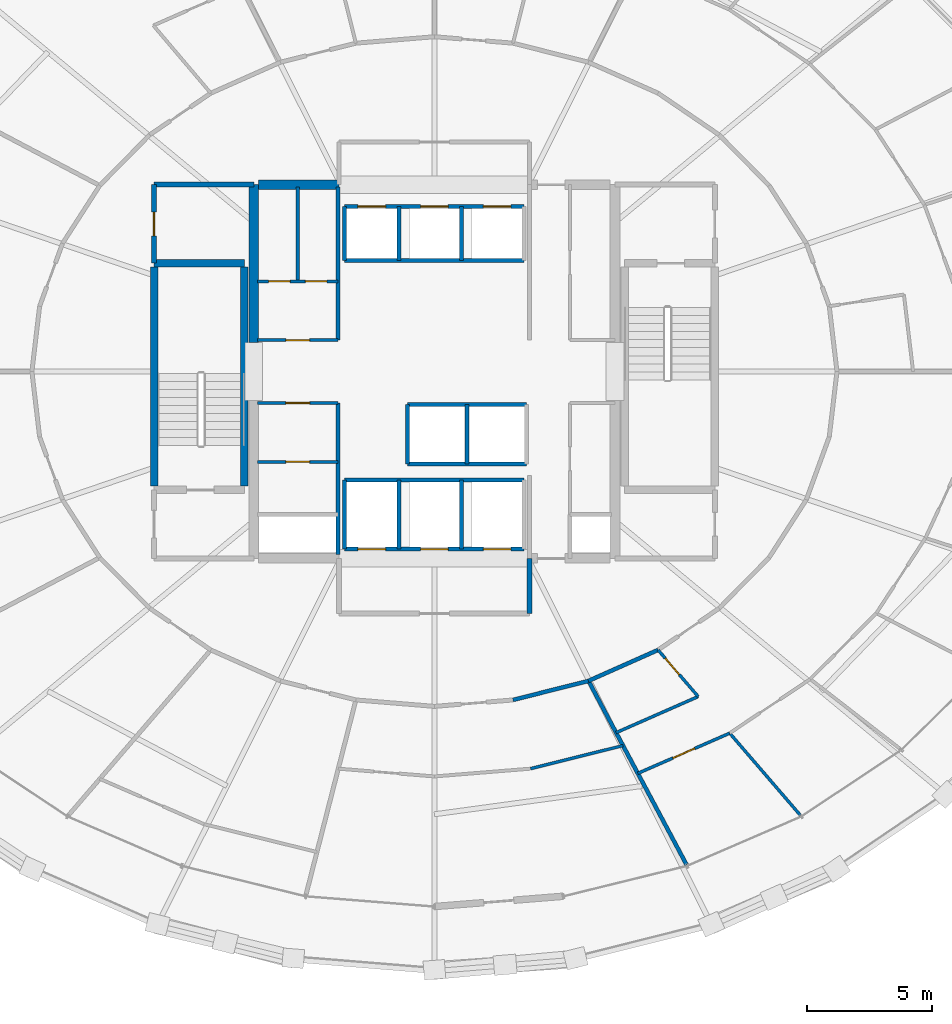
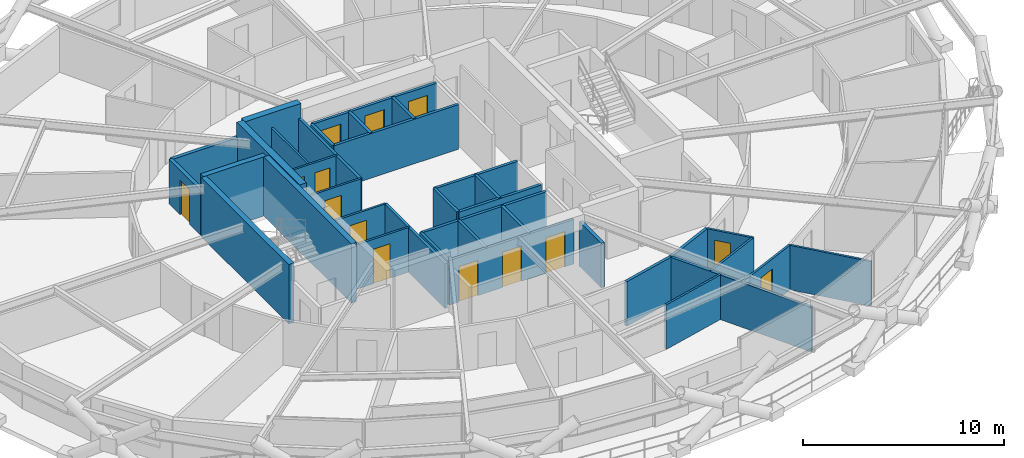
# One storey, part 16 of 21: 37 walls, 14 doors, 14 openings.
"""IFC4 building model written with IfcOpenShell, lengths in metres."""

from ifc_helpers import new_model, si_unit, direction, frame, frame_2d, origin, place, context, subcontext, project, spatial, rectangle, extrude, material, layer, layer_set, type_object, element, fill, save


model = new_model("IFC4")

# Units and contexts
model_context = context("Model", 3, precision=1e-05, world=origin(), true_north=direction((0.0, 1.0)))
body_context = subcontext(model_context, "Body", "Model", "MODEL_VIEW")
ifc_project = project(units=[si_unit("LENGTHUNIT", "METRE"), si_unit("AREAUNIT", "SQUARE_METRE"), si_unit("VOLUMEUNIT", "CUBIC_METRE"), si_unit("PLANEANGLEUNIT", "RADIAN"), si_unit("MASSUNIT", "GRAM", prefix="KILO")], contexts=[model_context])

# Site, building, storey
site_placement = place(None, origin())
site = spatial("IfcSite", under=ifc_project, at=site_placement, CompositionType="ELEMENT")
building_placement = place(site_placement, origin())
building = spatial("IfcBuilding", under=site, at=building_placement, Name="Veldorina Hangang Commons", CompositionType="ELEMENT")
storey_placement = place(building_placement, frame((0.0, 0.0, 66.39990234375)))
storey = spatial("IfcBuildingStorey", under=building, at=storey_placement, Name="L16", CompositionType="ELEMENT", Elevation=66.39990234375)

# Walls
ifc_material_1 = material(Name="Concrete C70/85", Category="concrete")
ifc_layer_1 = layer(ifc_material_1, 0.3798828125)
ifc_layer_set_1 = layer_set([ifc_layer_1], Name="Concrete C70/85")
wall_type_1 = type_object("IfcWallType", Name="CW-RC380-C70", PredefinedType="SHEAR", material=ifc_layer_set_1)
wall_1_placement = place(storey_placement, frame((24.800048828125, 25.14990234375, 0.0), z_axis=(0.0, 0.0, 1.0), x_axis=(0.0, 1.0, 0.0)))
element("IfcWall", 1, at=wall_1_placement, inside=storey, type_object=wall_type_1, Name="L16 W north core shear wall", PredefinedType="SHEAR", context=body_context, shape_type="SweptSolid", body=[
    extrude(rectangle(XDim=6.300048828125, YDim=0.3798828125, at=frame_2d((3.14990234375, 0.0))), origin(), (0.0, 0.0, 1.0), 3.60009765625),
])
wall_2_placement = place(storey_placement, frame((24.989990234375, 31.449951171875, 0.0), z_axis=(0.0, 0.0, 1.0), x_axis=(1.0, 0.0, 0.0)))
element("IfcWall", 2, at=wall_2_placement, inside=storey, type_object=wall_type_1, Name="L16 north-west core shear wall", PredefinedType="SHEAR", context=body_context, shape_type="SweptSolid", body=[
    extrude(rectangle(XDim=3.2099609375, YDim=0.3798828125, at=frame_2d((1.60498046875, 0.0))), origin(), (0.0, 0.0, 1.0), 3.60009765625),
])
ifc_material_2 = material(Name="Concrete C50/60", Category="concrete")
ifc_layer_2 = layer(ifc_material_2, 0.300048828125)
ifc_layer_set_2 = layer_set([ifc_layer_2], Name="Concrete C50/60")
wall_type_2 = type_object("IfcWallType", Name="SW-STAIR-300", PredefinedType="SHEAR", material=ifc_layer_set_2)
for number, where, z_axis, x_axis, name in (
    (3, (20.820068359375, 19.429931640625, 0.0), (0.0, 0.0, 1.0), (0.0, 1.0, 0.0), "L16 ST1 outer stair shear wall"),
    (4, (24.419921875, 19.429931640625, 0.0), (0.0, 0.0, 1.0), (0.0, 1.0, 0.0), "L16 ST1 inner stair shear wall"),
):
    element("IfcWall", number, at=place(storey_placement, frame(where, z_axis=z_axis, x_axis=x_axis)), inside=storey, type_object=wall_type_2, Name=name, PredefinedType="SHEAR", context=body_context, shape_type="SweptSolid", body=[
        extrude(rectangle(XDim=8.739990234375, YDim=0.300048828125, at=frame_2d((4.3701171875, 0.0))), origin(), (0.0, 0.0, 1.0), 3.60009765625),
    ])
wall_3_placement = place(storey_placement, frame((20.820068359375, 28.320068359375, 0.0), z_axis=(0.0, 0.0, 1.0), x_axis=(1.0, 0.0, 0.0)))
element("IfcWall", 5, at=wall_3_placement, inside=storey, type_object=wall_type_2, Name="L16 ST1 north stair shear wall", PredefinedType="SHEAR", context=body_context, shape_type="SweptSolid", body=[
    extrude(rectangle(XDim=3.599853515625, YDim=0.300048828125, at=frame_2d((1.7998046875, 0.0))), origin(), (0.0, 0.0, 1.0), 3.60009765625),
])

# Wall, openings, doors
ifc_material_3 = material(Name="Gypsum Fire-Rated Twin Stud Wall", Category="gypsum")
ifc_layer_3 = layer(ifc_material_3, 0.159912109375)
ifc_layer_set_3 = layer_set([ifc_layer_3], Name="Gypsum Fire-Rated Twin Stud Wall")
wall_type_3 = type_object("IfcWallType", Name="WL-FIRE-160", PredefinedType="SOLIDWALL", material=ifc_layer_set_3)
wall_4_placement = place(storey_placement, frame((28.419921875, 30.580078125, 0.0), z_axis=(0.0, 0.0, 1.0), x_axis=(1.0, 0.0, 0.0)))
wall_4 = element("IfcWall", 6, at=wall_4_placement, inside=storey, type_object=wall_type_3, Name="L16 Low-bank front shaft wall 015", PredefinedType="SOLIDWALL", context=body_context, shape_type="SweptSolid", body=[
    extrude(rectangle(XDim=7.16015625, YDim=0.159912109375, at=frame_2d((3.580078125, 0.0))), origin(), (0.0, 0.0, 1.0), 2.710205078125),
])
opening_1_placement = place(wall_4_placement, frame((0.530029296875, 0.0, 0.0)))
opening_1 = element("IfcOpeningElement", 7, at=opening_1_placement, cuts=wall_4, Name="Opening LD-01", PredefinedType="OPENING", context=body_context, shape_type="SweptSolid", body=[
    extrude(rectangle(XDim=1.10009765625, YDim=2.14990234375, at=frame_2d((0.550048828125, 1.074951171875))), frame((0.0, 0.08984375, 0.0), z_axis=(0.0, -1.0, 0.0), x_axis=(1.0, 0.0, 0.0)), (0.0, 0.0, 1.0), 0.179931640625),
])
opening_2_placement = place(wall_4_placement, frame((3.030029296875, 0.0, 0.0)))
opening_2 = element("IfcOpeningElement", 8, at=opening_2_placement, cuts=wall_4, Name="Opening LD-01", PredefinedType="OPENING", context=body_context, shape_type="SweptSolid", body=[
    extrude(rectangle(XDim=1.10009765625, YDim=2.14990234375, at=frame_2d((0.550048828125, 1.074951171875))), frame((0.0, 0.08984375, 0.0), z_axis=(0.0, -1.0, 0.0), x_axis=(1.0, 0.0, 0.0)), (0.0, 0.0, 1.0), 0.179931640625),
])
opening_3_placement = place(wall_4_placement, frame((5.530029296875, 0.0, 0.0)))
opening_3 = element("IfcOpeningElement", 9, at=opening_3_placement, cuts=wall_4, Name="Opening LD-01", PredefinedType="OPENING", context=body_context, shape_type="SweptSolid", body=[
    extrude(rectangle(XDim=1.10009765625, YDim=2.14990234375, at=frame_2d((0.550048828125, 1.074951171875))), frame((0.0, 0.08984375, 0.0), z_axis=(0.0, -1.0, 0.0), x_axis=(1.0, 0.0, 0.0)), (0.0, 0.0, 1.0), 0.179931640625),
])
ifc_material_4 = material(Name="Stainless Steel Brushed Lift Door", Category="steel")
door_type_1 = type_object("IfcDoorType", Name="DR-LIFT-1100", OperationType="SLIDING_TO_LEFT", PredefinedType="DOOR", material=ifc_material_4)
door_1_placement = place(opening_1_placement, origin())
door_1 = element("IfcDoor", 10, at=door_1_placement, inside=storey, type_object=door_type_1, Name="L16 Lift PL-L1 landing door 006", OperationType="SLIDING_TO_LEFT", OverallHeight=2.14990234375, OverallWidth=1.10009765625, PredefinedType="DOOR", context=body_context, shape_type="SweptSolid", body=[
    extrude(rectangle(XDim=1.10009765625, YDim=2.14990234375, at=frame_2d((0.550048828125, 1.074951171875))), frame((0.0, 0.02490234375, 0.0), z_axis=(0.0, -1.0, 0.0), x_axis=(1.0, 0.0, 0.0)), (0.0, 0.0, 1.0), 0.050048828125),
])
fill(opening_1, door_1)
door_2_placement = place(opening_2_placement, origin())
door_2 = element("IfcDoor", 11, at=door_2_placement, inside=storey, type_object=door_type_1, Name="L16 Lift PL-L2 landing door 007", OperationType="SLIDING_TO_LEFT", OverallHeight=2.14990234375, OverallWidth=1.10009765625, PredefinedType="DOOR", context=body_context, shape_type="SweptSolid", body=[
    extrude(rectangle(XDim=1.10009765625, YDim=2.14990234375, at=frame_2d((0.550048828125, 1.074951171875))), frame((0.0, 0.02490234375, 0.0), z_axis=(0.0, -1.0, 0.0), x_axis=(1.0, 0.0, 0.0)), (0.0, 0.0, 1.0), 0.050048828125),
])
fill(opening_2, door_2)
door_3_placement = place(opening_3_placement, origin())
door_3 = element("IfcDoor", 12, at=door_3_placement, inside=storey, type_object=door_type_1, Name="L16 Lift PL-L3 landing door 008", OperationType="SLIDING_TO_LEFT", OverallHeight=2.14990234375, OverallWidth=1.10009765625, PredefinedType="DOOR", context=body_context, shape_type="SweptSolid", body=[
    extrude(rectangle(XDim=1.10009765625, YDim=2.14990234375, at=frame_2d((0.550048828125, 1.074951171875))), frame((0.0, 0.02490234375, 0.0), z_axis=(0.0, -1.0, 0.0), x_axis=(1.0, 0.0, 0.0)), (0.0, 0.0, 1.0), 0.050048828125),
])
fill(opening_3, door_3)

# Walls
wall_5_placement = place(storey_placement, frame((28.419921875, 28.419921875, 0.0), z_axis=(0.0, 0.0, 1.0), x_axis=(1.0, 0.0, 0.0)))
element("IfcWall", 13, at=wall_5_placement, inside=storey, type_object=wall_type_3, Name="L16 Low-bank rear shaft wall 016", PredefinedType="SOLIDWALL", context=body_context, shape_type="SweptSolid", body=[
    extrude(rectangle(XDim=7.16015625, YDim=0.159912109375, at=frame_2d((3.580078125, 0.0))), origin(), (0.0, 0.0, 1.0), 2.710205078125),
])
for number, where, z_axis, x_axis, name in (
    (14, (28.419921875, 28.419921875, 0.0), (0.0, 0.0, 1.0), (0.0, 1.0, 0.0), "L16 PL-L1 west shaft wall 017"),
    (15, (30.580078125, 28.419921875, 0.0), (0.0, 0.0, 1.0), (0.0, 1.0, 0.0), "L16 PL-L1 east shaft wall 018"),
    (16, (33.080078125, 28.419921875, 0.0), (0.0, 0.0, 1.0), (0.0, 1.0, 0.0), "L16 PL-L2 east shaft wall 019"),
):
    element("IfcWall", number, at=place(storey_placement, frame(where, z_axis=z_axis, x_axis=x_axis)), inside=storey, type_object=wall_type_3, Name=name, PredefinedType="SOLIDWALL", context=body_context, shape_type="SweptSolid", body=[
        extrude(rectangle(XDim=2.16015625, YDim=0.159912109375, at=frame_2d((1.080078125, 0.0))), origin(), (0.0, 0.0, 1.0), 2.710205078125),
    ])
for number, where, z_axis, x_axis, name in (
    (17, (30.919921875, 22.679931640625, 0.0), (0.0, 0.0, 1.0), (1.0, 0.0, 0.0), "L16 Shuttle-high front shaft wall 021"),
    (18, (30.919921875, 20.320068359375, 0.0), (0.0, 0.0, 1.0), (1.0, 0.0, 0.0), "L16 Shuttle-high rear shaft wall 022"),
):
    element("IfcWall", number, at=place(storey_placement, frame(where, z_axis=z_axis, x_axis=x_axis)), inside=storey, type_object=wall_type_3, Name=name, PredefinedType="SOLIDWALL", context=body_context, shape_type="SweptSolid", body=[
        extrude(rectangle(XDim=4.760009765625, YDim=0.159912109375, at=frame_2d((2.3798828125, 0.0))), origin(), (0.0, 0.0, 1.0), 2.710205078125),
    ])
for number, where, z_axis, x_axis, name in (
    (19, (30.919921875, 20.320068359375, 0.0), (0.0, 0.0, 1.0), (0.0, 1.0, 0.0), "L16 SL-1 west shaft wall 023"),
    (20, (33.300048828125, 20.320068359375, 0.0), (0.0, 0.0, 1.0), (0.0, 1.0, 0.0), "L16 SL-1 east shaft wall 024"),
):
    element("IfcWall", number, at=place(storey_placement, frame(where, z_axis=z_axis, x_axis=x_axis)), inside=storey, type_object=wall_type_3, Name=name, PredefinedType="SOLIDWALL", context=body_context, shape_type="SweptSolid", body=[
        extrude(rectangle(XDim=2.35986328125, YDim=0.159912109375, at=frame_2d((1.179931640625, 0.0))), origin(), (0.0, 0.0, 1.0), 2.710205078125),
    ])

# Wall, openings, doors
wall_6_placement = place(storey_placement, frame((28.419921875, 16.919921875, 0.0), z_axis=(0.0, 0.0, 1.0), x_axis=(1.0, 0.0, 0.0)))
wall_6 = element("IfcWall", 21, at=wall_6_placement, inside=storey, type_object=wall_type_3, Name="L16 Emergency front shaft wall 026", PredefinedType="SOLIDWALL", context=body_context, shape_type="SweptSolid", body=[
    extrude(rectangle(XDim=7.16015625, YDim=0.159912109375, at=frame_2d((3.580078125, 0.0))), origin(), (0.0, 0.0, 1.0), 2.710205078125),
])
opening_4_placement = place(wall_6_placement, frame((0.530029296875, 0.0, 0.0)))
opening_4 = element("IfcOpeningElement", 22, at=opening_4_placement, cuts=wall_6, Name="Opening LD-03", PredefinedType="OPENING", context=body_context, shape_type="SweptSolid", body=[
    extrude(rectangle(XDim=1.10009765625, YDim=2.14990234375, at=frame_2d((0.550048828125, 1.074951171875))), frame((0.0, 0.08984375, 0.0), z_axis=(0.0, -1.0, 0.0), x_axis=(1.0, 0.0, 0.0)), (0.0, 0.0, 1.0), 0.179931640625),
])
opening_5_placement = place(wall_6_placement, frame((3.030029296875, 0.0, 0.0)))
opening_5 = element("IfcOpeningElement", 23, at=opening_5_placement, cuts=wall_6, Name="Opening LD-03", PredefinedType="OPENING", context=body_context, shape_type="SweptSolid", body=[
    extrude(rectangle(XDim=1.10009765625, YDim=2.14990234375, at=frame_2d((0.550048828125, 1.074951171875))), frame((0.0, 0.08984375, 0.0), z_axis=(0.0, -1.0, 0.0), x_axis=(1.0, 0.0, 0.0)), (0.0, 0.0, 1.0), 0.179931640625),
])
opening_6_placement = place(wall_6_placement, frame((5.530029296875, 0.0, 0.0)))
opening_6 = element("IfcOpeningElement", 24, at=opening_6_placement, cuts=wall_6, Name="Opening LD-03", PredefinedType="OPENING", context=body_context, shape_type="SweptSolid", body=[
    extrude(rectangle(XDim=1.10009765625, YDim=2.14990234375, at=frame_2d((0.550048828125, 1.074951171875))), frame((0.0, 0.08984375, 0.0), z_axis=(0.0, -1.0, 0.0), x_axis=(1.0, 0.0, 0.0)), (0.0, 0.0, 1.0), 0.179931640625),
])
ifc_material_5 = material(Name="Stainless Steel Firefighting Lift Door", Category="steel")
door_type_2 = type_object("IfcDoorType", Name="DR-LIFT-FF1100", OperationType="SLIDING_TO_RIGHT", PredefinedType="DOOR", material=ifc_material_5)
door_4_placement = place(opening_4_placement, origin())
door_4 = element("IfcDoor", 25, at=door_4_placement, inside=storey, type_object=door_type_2, Name="L16 Emergency lift FFL-1 landing door 009", OperationType="SLIDING_TO_RIGHT", OverallHeight=2.14990234375, OverallWidth=1.10009765625, PredefinedType="DOOR", context=body_context, shape_type="SweptSolid", body=[
    extrude(rectangle(XDim=1.10009765625, YDim=2.14990234375, at=frame_2d((0.550048828125, 1.074951171875))), frame((0.0, 0.02490234375, 0.0), z_axis=(0.0, -1.0, 0.0), x_axis=(1.0, 0.0, 0.0)), (0.0, 0.0, 1.0), 0.050048828125),
])
fill(opening_4, door_4)
door_5_placement = place(opening_5_placement, origin())
door_5 = element("IfcDoor", 26, at=door_5_placement, inside=storey, type_object=door_type_2, Name="L16 Emergency lift FFL-2 landing door 010", OperationType="SLIDING_TO_RIGHT", OverallHeight=2.14990234375, OverallWidth=1.10009765625, PredefinedType="DOOR", context=body_context, shape_type="SweptSolid", body=[
    extrude(rectangle(XDim=1.10009765625, YDim=2.14990234375, at=frame_2d((0.550048828125, 1.074951171875))), frame((0.0, 0.02490234375, 0.0), z_axis=(0.0, -1.0, 0.0), x_axis=(1.0, 0.0, 0.0)), (0.0, 0.0, 1.0), 0.050048828125),
])
fill(opening_5, door_5)
door_6_placement = place(opening_6_placement, origin())
door_6 = element("IfcDoor", 27, at=door_6_placement, inside=storey, type_object=door_type_2, Name="L16 Emergency lift EVL-1 landing door 011", OperationType="SLIDING_TO_RIGHT", OverallHeight=2.14990234375, OverallWidth=1.10009765625, PredefinedType="DOOR", context=body_context, shape_type="SweptSolid", body=[
    extrude(rectangle(XDim=1.10009765625, YDim=2.14990234375, at=frame_2d((0.550048828125, 1.074951171875))), frame((0.0, 0.02490234375, 0.0), z_axis=(0.0, -1.0, 0.0), x_axis=(1.0, 0.0, 0.0)), (0.0, 0.0, 1.0), 0.050048828125),
])
fill(opening_6, door_6)

# Walls
wall_7_placement = place(storey_placement, frame((28.419921875, 19.679931640625, 0.0), z_axis=(0.0, 0.0, 1.0), x_axis=(1.0, 0.0, 0.0)))
element("IfcWall", 28, at=wall_7_placement, inside=storey, type_object=wall_type_3, Name="L16 Emergency rear shaft wall 027", PredefinedType="SOLIDWALL", context=body_context, shape_type="SweptSolid", body=[
    extrude(rectangle(XDim=7.16015625, YDim=0.159912109375, at=frame_2d((3.580078125, 0.0))), origin(), (0.0, 0.0, 1.0), 2.710205078125),
])
for number, where, z_axis, x_axis, name in (
    (29, (28.419921875, 16.919921875, 0.0), (0.0, 0.0, 1.0), (0.0, 1.0, 0.0), "L16 FFL-1 west shaft wall 028"),
    (30, (30.580078125, 16.919921875, 0.0), (0.0, 0.0, 1.0), (0.0, 1.0, 0.0), "L16 FFL-1 east shaft wall 029"),
    (31, (33.080078125, 16.919921875, 0.0), (0.0, 0.0, 1.0), (0.0, 1.0, 0.0), "L16 FFL-2 east shaft wall 030"),
):
    element("IfcWall", number, at=place(storey_placement, frame(where, z_axis=z_axis, x_axis=x_axis)), inside=storey, type_object=wall_type_3, Name=name, PredefinedType="SOLIDWALL", context=body_context, shape_type="SweptSolid", body=[
        extrude(rectangle(XDim=2.760009765625, YDim=0.159912109375, at=frame_2d((1.3798828125, 0.0))), origin(), (0.0, 0.0, 1.0), 2.710205078125),
    ])
wall_8_placement = place(storey_placement, frame((28.14990234375, 16.699951171875, 0.0), z_axis=(0.0, 0.0, 1.0), x_axis=(0.0, 1.0, 0.0)))
element("IfcWall", 32, at=wall_8_placement, inside=storey, type_object=wall_type_3, Name="L16 SW core inner wall 036", PredefinedType="SOLIDWALL", context=body_context, shape_type="SweptSolid", body=[
    extrude(rectangle(XDim=6.050048828125, YDim=0.159912109375, at=frame_2d((3.02490234375, 0.0))), origin(), (0.0, 0.0, 1.0), 2.710205078125),
])
wall_9_placement = place(storey_placement, frame((28.14990234375, 25.25, 0.0), z_axis=(0.0, 0.0, 1.0), x_axis=(0.0, 1.0, 0.0)))
element("IfcWall", 33, at=wall_9_placement, inside=storey, type_object=wall_type_3, Name="L16 NW core inner wall 038", PredefinedType="SOLIDWALL", context=body_context, shape_type="SweptSolid", body=[
    extrude(rectangle(XDim=6.10009765625, YDim=0.159912109375, at=frame_2d((3.050048828125, 0.0))), origin(), (0.0, 0.0, 1.0), 2.710205078125),
])
wall_10_placement = place(storey_placement, frame((35.131103515625, 10.906494140625, 0.0), z_axis=(0.0, 0.0, 1.0), x_axis=(0.969608333194, 0.244662380029, 0.0)))
element("IfcWall", 34, at=wall_10_placement, inside=storey, type_object=wall_type_3, Name="L16 Corridor outer wall 25 073", PredefinedType="SOLIDWALL", context=body_context, shape_type="SweptSolid", body=[
    extrude(rectangle(XDim=3.10546875, YDim=0.159912109375, at=frame_2d((1.552734375, 0.0))), origin(), (0.0, 0.0, 1.0), 2.710205078125),
])
wall_11_placement = place(storey_placement, frame((38.14208984375, 11.666259765625, 0.0), z_axis=(0.0, 0.0, 1.0), x_axis=(0.913768445178, 0.406235434936, 0.0)))
element("IfcWall", 35, at=wall_11_placement, inside=storey, type_object=wall_type_3, Name="L16 Corridor outer wall 26 074", PredefinedType="SOLIDWALL", context=body_context, shape_type="SweptSolid", body=[
    extrude(rectangle(XDim=3.036865234375, YDim=0.159912109375, at=frame_2d((1.5185546875, 0.0))), origin(), (0.0, 0.0, 1.0), 2.710205078125),
])
wall_12_placement = place(storey_placement, frame((38.14208984375, 11.666259765625, 0.0), z_axis=(0.0, 0.0, 1.0), x_axis=(0.470742278438, -0.88227076756, 0.0)))
element("IfcWall", 36, at=wall_12_placement, inside=storey, type_object=wall_type_3, Name="L16 Unit party wall 26 084", PredefinedType="SOLIDWALL", context=body_context, shape_type="SweptSolid", body=[
    extrude(rectangle(XDim=8.307861328125, YDim=0.159912109375, at=frame_2d((4.15380859375, 0.0))), origin(), (0.0, 0.0, 1.0), 2.710205078125),
])

# Wall, opening, door
ifc_material_6 = material(Name="Concrete Blockwork Fire Wall C30/37", Category="masonry")
ifc_layer_4 = layer(ifc_material_6, 0.199951171875)
ifc_layer_set_4 = layer_set([ifc_layer_4], Name="Concrete Blockwork Fire Wall C30/37")
wall_type_4 = type_object("IfcWallType", Name="WL-FIRE-200", PredefinedType="SOLIDWALL", material=ifc_layer_set_4)
wall_13_placement = place(storey_placement, frame((20.820068359375, 28.320068359375, 0.0), z_axis=(0.0, 0.0, 1.0), x_axis=(0.0, 1.0, 0.0)))
wall_13 = element("IfcWall", 37, at=wall_13_placement, inside=storey, type_object=wall_type_4, Name="L16 NW core room outer wall 005", PredefinedType="SOLIDWALL", context=body_context, shape_type="SweptSolid", body=[
    extrude(rectangle(XDim=3.1298828125, YDim=0.199951171875, at=frame_2d((1.56494140625, 0.0))), origin(), (0.0, 0.0, 1.0), 2.710205078125),
])
opening_7_placement = place(wall_13_placement, frame((1.090087890625, 0.0, 0.0)))
opening_7 = element("IfcOpeningElement", 38, at=opening_7_placement, cuts=wall_13, Name="Opening D-04", PredefinedType="OPENING", context=body_context, shape_type="SweptSolid", body=[
    extrude(rectangle(XDim=0.949951171875, YDim=2.10009765625, at=frame_2d((0.47509765625, 1.050048828125))), frame((0.0, 0.10986328125, 0.0), z_axis=(0.0, -1.0, 0.0), x_axis=(1.0, 0.0, 0.0)), (0.0, 0.0, 1.0), 0.219970703125),
])
ifc_material_7 = material(Name="Timber Accessible Flush Leaf", Category="wood")
door_type_3 = type_object("IfcDoorType", Name="DR-ACC-950", OperationType="SINGLE_SWING_LEFT", PredefinedType="DOOR", material=ifc_material_7)
door_7_placement = place(opening_7_placement, origin())
door_7 = element("IfcDoor", 39, at=door_7_placement, inside=storey, type_object=door_type_3, Name="L16 NW core WC door 003", OperationType="SINGLE_SWING_LEFT", OverallHeight=2.10009765625, OverallWidth=0.949951171875, PredefinedType="DOOR", context=body_context, shape_type="SweptSolid", body=[
    extrude(rectangle(XDim=0.949951171875, YDim=2.10009765625, at=frame_2d((0.47509765625, 1.050048828125))), frame((0.0, 0.02490234375, 0.0), z_axis=(0.0, -1.0, 0.0), x_axis=(1.0, 0.0, 0.0)), (0.0, 0.0, 1.0), 0.050048828125),
])
fill(opening_7, door_7)

# Walls
wall_14_placement = place(storey_placement, frame((20.820068359375, 31.449951171875, 0.0), z_axis=(0.0, 0.0, 1.0), x_axis=(1.0, 0.0, 0.0)))
element("IfcWall", 40, at=wall_14_placement, inside=storey, type_object=wall_type_4, Name="L16 NW core room north wall 006", PredefinedType="SOLIDWALL", context=body_context, shape_type="SweptSolid", body=[
    extrude(rectangle(XDim=3.97998046875, YDim=0.199951171875, at=frame_2d((1.989990234375, 0.0))), origin(), (0.0, 0.0, 1.0), 2.710205078125),
])
wall_15_placement = place(storey_placement, frame((35.800048828125, 14.35009765625, 0.0), z_axis=(0.0, 0.0, 1.0), x_axis=(0.0, 1.0, 0.0)))
element("IfcWall", 41, at=wall_15_placement, inside=storey, type_object=wall_type_4, Name="L16 FF lobby east wall 013", PredefinedType="SOLIDWALL", context=body_context, shape_type="SweptSolid", body=[
    extrude(rectangle(XDim=2.199951171875, YDim=0.199951171875, at=frame_2d((1.10009765625, 0.0))), origin(), (0.0, 0.0, 1.0), 2.710205078125),
])

# Wall, opening, door
ifc_material_8 = material(Name="Gypsum Acoustic Stud Partition", Category="gypsum")
ifc_layer_5 = layer(ifc_material_8, 0.1201171875)
ifc_layer_set_5 = layer_set([ifc_layer_5], Name="Gypsum Acoustic Stud Partition")
wall_type_5 = type_object("IfcWallType", Name="WL-PART-120", PredefinedType="PARTITIONING", material=ifc_layer_set_5)
wall_16_placement = place(storey_placement, frame((24.949951171875, 25.25, 0.0), z_axis=(0.0, 0.0, 1.0), x_axis=(1.0, 0.0, 0.0)))
wall_16 = element("IfcWall", 42, at=wall_16_placement, inside=storey, type_object=wall_type_5, Name="L16 NW service south wall 039", PredefinedType="PARTITIONING", context=body_context, shape_type="SweptSolid", body=[
    extrude(rectangle(XDim=3.199951171875, YDim=0.1201171875, at=frame_2d((1.60009765625, 0.0))), origin(), (0.0, 0.0, 1.0), 2.710205078125),
])
opening_8_placement = place(wall_16_placement, frame((1.125, 0.0, 0.0)))
opening_8 = element("IfcOpeningElement", 43, at=opening_8_placement, cuts=wall_16, Name="Opening D-02", PredefinedType="OPENING", context=body_context, shape_type="SweptSolid", body=[
    extrude(rectangle(XDim=0.949951171875, YDim=2.10009765625, at=frame_2d((0.47509765625, 1.050048828125))), frame((0.0, 0.070068359375, 0.0), z_axis=(0.0, -1.0, 0.0), x_axis=(1.0, 0.0, 0.0)), (0.0, 0.0, 1.0), 0.14013671875),
])
ifc_material_9 = material(Name="Timber Solid Core Acoustic", Category="wood")
door_type_4 = type_object("IfcDoorType", Name="DR-INT-950", OperationType="SINGLE_SWING_LEFT", PredefinedType="DOOR", material=ifc_material_9)
door_8_placement = place(opening_8_placement, origin())
door_8 = element("IfcDoor", 44, at=door_8_placement, inside=storey, type_object=door_type_4, Name="L16 Utility vestibule door 013", OperationType="SINGLE_SWING_LEFT", OverallHeight=2.10009765625, OverallWidth=0.949951171875, PredefinedType="DOOR", context=body_context, shape_type="SweptSolid", body=[
    extrude(rectangle(XDim=0.949951171875, YDim=2.10009765625, at=frame_2d((0.47509765625, 1.050048828125))), frame((0.0, 0.02490234375, 0.0), z_axis=(0.0, -1.0, 0.0), x_axis=(1.0, 0.0, 0.0)), (0.0, 0.0, 1.0), 0.050048828125),
])
fill(opening_8, door_8)

wall_17_placement = place(storey_placement, frame((24.949951171875, 22.75, 0.0), z_axis=(0.0, 0.0, 1.0), x_axis=(1.0, 0.0, 0.0)))
wall_17 = element("IfcWall", 45, at=wall_17_placement, inside=storey, type_object=wall_type_5, Name="L16 SW service north wall 040", PredefinedType="PARTITIONING", context=body_context, shape_type="SweptSolid", body=[
    extrude(rectangle(XDim=3.199951171875, YDim=0.1201171875, at=frame_2d((1.60009765625, 0.0))), origin(), (0.0, 0.0, 1.0), 2.710205078125),
])
opening_9_placement = place(wall_17_placement, frame((1.125, 0.0, 0.0)))
opening_9 = element("IfcOpeningElement", 46, at=opening_9_placement, cuts=wall_17, Name="Opening D-02", PredefinedType="OPENING", context=body_context, shape_type="SweptSolid", body=[
    extrude(rectangle(XDim=0.949951171875, YDim=2.10009765625, at=frame_2d((0.47509765625, 1.050048828125))), frame((0.0, 0.070068359375, 0.0), z_axis=(0.0, -1.0, 0.0), x_axis=(1.0, 0.0, 0.0)), (0.0, 0.0, 1.0), 0.14013671875),
])
door_9_placement = place(opening_9_placement, origin())
door_9 = element("IfcDoor", 47, at=door_9_placement, inside=storey, type_object=door_type_4, Name="L16 Recycling room door 016", OperationType="SINGLE_SWING_RIGHT", OverallHeight=2.10009765625, OverallWidth=0.949951171875, PredefinedType="DOOR", context=body_context, shape_type="SweptSolid", body=[
    extrude(rectangle(XDim=0.949951171875, YDim=2.10009765625, at=frame_2d((0.47509765625, 1.050048828125))), frame((0.0, 0.02490234375, 0.0), z_axis=(0.0, -1.0, 0.0), x_axis=(1.0, 0.0, 0.0)), (0.0, 0.0, 1.0), 0.050048828125),
])
fill(opening_9, door_9)

# Wall, openings, doors
wall_18_placement = place(storey_placement, frame((24.949951171875, 27.60009765625, 0.0), z_axis=(0.0, 0.0, 1.0), x_axis=(1.0, 0.0, 0.0)))
wall_18 = element("IfcWall", 48, at=wall_18_placement, inside=storey, type_object=wall_type_5, Name="L16 NW lower split 045", PredefinedType="PARTITIONING", context=body_context, shape_type="SweptSolid", body=[
    extrude(rectangle(XDim=3.199951171875, YDim=0.1201171875, at=frame_2d((1.60009765625, 0.0))), origin(), (0.0, 0.0, 1.0), 2.710205078125),
])
opening_10_placement = place(wall_18_placement, frame((0.43994140625, 0.0, 0.0)))
opening_10 = element("IfcOpeningElement", 49, at=opening_10_placement, cuts=wall_18, Name="Opening D-01", PredefinedType="OPENING", context=body_context, shape_type="SweptSolid", body=[
    extrude(rectangle(XDim=0.860107421875, YDim=2.10009765625, at=frame_2d((0.43017578125, 1.050048828125))), frame((0.0, 0.070068359375, 0.0), z_axis=(0.0, -1.0, 0.0), x_axis=(1.0, 0.0, 0.0)), (0.0, 0.0, 1.0), 0.14013671875),
])
opening_11_placement = place(wall_18_placement, frame((1.89990234375, 0.0, 0.0)))
opening_11 = element("IfcOpeningElement", 50, at=opening_11_placement, cuts=wall_18, Name="Opening D-01", PredefinedType="OPENING", context=body_context, shape_type="SweptSolid", body=[
    extrude(rectangle(XDim=0.860107421875, YDim=2.10009765625, at=frame_2d((0.43017578125, 1.050048828125))), frame((0.0, 0.070068359375, 0.0), z_axis=(0.0, -1.0, 0.0), x_axis=(1.0, 0.0, 0.0)), (0.0, 0.0, 1.0), 0.14013671875),
])
ifc_material_10 = material(Name="Timber Moisture-Resistant Core", Category="wood")
door_type_5 = type_object("IfcDoorType", Name="DR-WET-860", OperationType="SINGLE_SWING_LEFT", PredefinedType="DOOR", material=ifc_material_10)
door_10_placement = place(opening_10_placement, origin())
door_10 = element("IfcDoor", 51, at=door_10_placement, inside=storey, type_object=door_type_5, Name="L16 Store A door 014", OperationType="SINGLE_SWING_RIGHT", OverallHeight=2.10009765625, OverallWidth=0.860107421875, PredefinedType="DOOR", context=body_context, shape_type="SweptSolid", body=[
    extrude(rectangle(XDim=0.860107421875, YDim=2.10009765625, at=frame_2d((0.43017578125, 1.050048828125))), frame((0.0, 0.02490234375, 0.0), z_axis=(0.0, -1.0, 0.0), x_axis=(1.0, 0.0, 0.0)), (0.0, 0.0, 1.0), 0.050048828125),
])
fill(opening_10, door_10)
door_11_placement = place(opening_11_placement, origin())
door_11 = element("IfcDoor", 52, at=door_11_placement, inside=storey, type_object=door_type_5, Name="L16 Store B door 015", OperationType="SINGLE_SWING_LEFT", OverallHeight=2.10009765625, OverallWidth=0.860107421875, PredefinedType="DOOR", context=body_context, shape_type="SweptSolid", body=[
    extrude(rectangle(XDim=0.860107421875, YDim=2.10009765625, at=frame_2d((0.43017578125, 1.050048828125))), frame((0.0, 0.02490234375, 0.0), z_axis=(0.0, -1.0, 0.0), x_axis=(1.0, 0.0, 0.0)), (0.0, 0.0, 1.0), 0.050048828125),
])
fill(opening_11, door_11)

# Wall
wall_19_placement = place(storey_placement, frame((26.550048828125, 27.60009765625, 0.0), z_axis=(0.0, 0.0, 1.0), x_axis=(0.0, 1.0, 0.0)))
element("IfcWall", 53, at=wall_19_placement, inside=storey, type_object=wall_type_5, Name="L16 NW upper vertical split 046", PredefinedType="PARTITIONING", context=body_context, shape_type="SweptSolid", body=[
    extrude(rectangle(XDim=3.75, YDim=0.1201171875, at=frame_2d((1.875, 0.0))), origin(), (0.0, 0.0, 1.0), 2.710205078125),
])

# Wall, opening, door
wall_20_placement = place(storey_placement, frame((24.949951171875, 20.39990234375, 0.0), z_axis=(0.0, 0.0, 1.0), x_axis=(1.0, 0.0, 0.0)))
wall_20 = element("IfcWall", 54, at=wall_20_placement, inside=storey, type_object=wall_type_5, Name="L16 SW horizontal split 047", PredefinedType="PARTITIONING", context=body_context, shape_type="SweptSolid", body=[
    extrude(rectangle(XDim=3.199951171875, YDim=0.1201171875, at=frame_2d((1.60009765625, 0.0))), origin(), (0.0, 0.0, 1.0), 2.710205078125),
])
opening_12_placement = place(wall_20_placement, frame((1.125, 0.0, 0.0)))
opening_12 = element("IfcOpeningElement", 55, at=opening_12_placement, cuts=wall_20, Name="Opening D-02", PredefinedType="OPENING", context=body_context, shape_type="SweptSolid", body=[
    extrude(rectangle(XDim=0.949951171875, YDim=2.10009765625, at=frame_2d((0.47509765625, 1.050048828125))), frame((0.0, 0.070068359375, 0.0), z_axis=(0.0, -1.0, 0.0), x_axis=(1.0, 0.0, 0.0)), (0.0, 0.0, 1.0), 0.14013671875),
])
door_12_placement = place(opening_12_placement, origin())
door_12 = element("IfcDoor", 56, at=door_12_placement, inside=storey, type_object=door_type_4, Name="L16 Archive closet door 017", OperationType="SINGLE_SWING_LEFT", OverallHeight=2.10009765625, OverallWidth=0.949951171875, PredefinedType="DOOR", context=body_context, shape_type="SweptSolid", body=[
    extrude(rectangle(XDim=0.949951171875, YDim=2.10009765625, at=frame_2d((0.47509765625, 1.050048828125))), frame((0.0, 0.02490234375, 0.0), z_axis=(0.0, -1.0, 0.0), x_axis=(1.0, 0.0, 0.0)), (0.0, 0.0, 1.0), 0.050048828125),
])
fill(opening_12, door_12)

# Walls
wall_21_placement = place(storey_placement, frame((35.833251953125, 8.166748046875, 0.0), z_axis=(0.0, 0.0, 1.0), x_axis=(0.970331231557, 0.241779447153, 0.0)))
element("IfcWall", 57, at=wall_21_placement, inside=storey, type_object=wall_type_5, Name="L16 Lounge alcove split 2 083", PredefinedType="PARTITIONING", context=body_context, shape_type="SweptSolid", body=[
    extrude(rectangle(XDim=3.798828125, YDim=0.1201171875, at=frame_2d((1.8994140625, 0.0))), origin(), (0.0, 0.0, 1.0), 2.710205078125),
])
wall_22_placement = place(storey_placement, frame((39.243896484375, 9.6015625, 0.0), z_axis=(0.0, 0.0, 1.0), x_axis=(0.915283816573, 0.402809551922, 0.0)))
element("IfcWall", 58, at=wall_22_placement, inside=storey, type_object=wall_type_5, Name="L16 Cluster 2 bath front wall 085", PredefinedType="PARTITIONING", context=body_context, shape_type="SweptSolid", body=[
    extrude(rectangle(XDim=3.575439453125, YDim=0.1201171875, at=frame_2d((1.78759765625, 0.0))), origin(), (0.0, 0.0, 1.0), 2.710205078125),
])

# Wall, opening, door
wall_23_placement = place(storey_placement, frame((40.9169921875, 12.89990234375, 0.0), z_axis=(0.0, 0.0, 1.0), x_axis=(0.652356342029, -0.757912397982, 0.0)))
wall_23 = element("IfcWall", 59, at=wall_23_placement, inside=storey, type_object=wall_type_5, Name="L16 Cluster 2 bath side wall 086", PredefinedType="PARTITIONING", context=body_context, shape_type="SweptSolid", body=[
    extrude(rectangle(XDim=2.45166015625, YDim=0.1201171875, at=frame_2d((1.225830078125, 0.0))), origin(), (0.0, 0.0, 1.0), 2.710205078125),
])
opening_13_placement = place(wall_23_placement, frame((0.43994140625, 0.0, 0.0)))
opening_13 = element("IfcOpeningElement", 60, at=opening_13_placement, cuts=wall_23, Name="Opening D-01", PredefinedType="OPENING", context=body_context, shape_type="SweptSolid", body=[
    extrude(rectangle(XDim=0.860107421875, YDim=2.10009765625, at=frame_2d((0.43017578125, 1.050048828125))), frame((0.0, 0.070068359375, 0.0), z_axis=(0.0, -1.0, 0.0), x_axis=(1.0, 0.0, 0.0)), (0.0, 0.0, 1.0), 0.14013671875),
])
door_13_placement = place(opening_13_placement, origin())
door_13 = element("IfcDoor", 61, at=door_13_placement, inside=storey, type_object=door_type_5, Name="L16 Cluster 2 shared bathroom door 022", OperationType="SINGLE_SWING_RIGHT", OverallHeight=2.10009765625, OverallWidth=0.860107421875, PredefinedType="DOOR", context=body_context, shape_type="SweptSolid", body=[
    extrude(rectangle(XDim=0.860107421875, YDim=2.10009765625, at=frame_2d((0.43017578125, 1.050048828125))), frame((0.0, 0.02490234375, 0.0), z_axis=(0.0, -1.0, 0.0), x_axis=(1.0, 0.0, 0.0)), (0.0, 0.0, 1.0), 0.050048828125),
])
fill(opening_13, door_13)

wall_24_placement = place(storey_placement, frame((40.109375, 7.979248046875, 0.0), z_axis=(0.0, 0.0, 1.0), x_axis=(0.916182555568, 0.400761181844, 0.0)))
wall_24 = element("IfcWall", 62, at=wall_24_placement, inside=storey, type_object=wall_type_5, Name="L16 Cluster 2 bed 1 front wall 087", PredefinedType="PARTITIONING", context=body_context, shape_type="SweptSolid", body=[
    extrude(rectangle(XDim=3.998779296875, YDim=0.1201171875, at=frame_2d((1.99951171875, 0.0))), origin(), (0.0, 0.0, 1.0), 2.710205078125),
])
opening_14_placement = place(wall_24_placement, frame((1.5244140625, 0.0, 0.0)))
opening_14 = element("IfcOpeningElement", 63, at=opening_14_placement, cuts=wall_24, Name="Opening D-02", PredefinedType="OPENING", context=body_context, shape_type="SweptSolid", body=[
    extrude(rectangle(XDim=0.949951171875, YDim=2.10009765625, at=frame_2d((0.47509765625, 1.050048828125))), frame((0.0, 0.070068359375, 0.0), z_axis=(0.0, -1.0, 0.0), x_axis=(1.0, 0.0, 0.0)), (0.0, 0.0, 1.0), 0.14013671875),
])
door_14_placement = place(opening_14_placement, origin())
door_14 = element("IfcDoor", 64, at=door_14_placement, inside=storey, type_object=door_type_4, Name="L16 Cluster 2 bed 1 door 024", OperationType="SINGLE_SWING_RIGHT", OverallHeight=2.10009765625, OverallWidth=0.949951171875, PredefinedType="DOOR", context=body_context, shape_type="SweptSolid", body=[
    extrude(rectangle(XDim=0.949951171875, YDim=2.10009765625, at=frame_2d((0.47509765625, 1.050048828125))), frame((0.0, 0.02490234375, 0.0), z_axis=(0.0, -1.0, 0.0), x_axis=(1.0, 0.0, 0.0)), (0.0, 0.0, 1.0), 0.050048828125),
])
fill(opening_14, door_14)

# Wall
wall_25_placement = place(storey_placement, frame((43.77294921875, 9.581787109375, 0.0), z_axis=(0.0, 0.0, 1.0), x_axis=(0.652364767319, -0.757905146018, 0.0)))
element("IfcWall", 65, at=wall_25_placement, inside=storey, type_object=wall_type_5, Name="L16 Cluster 2 bed divider 1 089", PredefinedType="PARTITIONING", context=body_context, shape_type="SweptSolid", body=[
    extrude(rectangle(XDim=4.328125, YDim=0.1201171875, at=frame_2d((2.1640625, 0.0))), origin(), (0.0, 0.0, 1.0), 2.710205078125),
])

save(model, "model.ifc")
